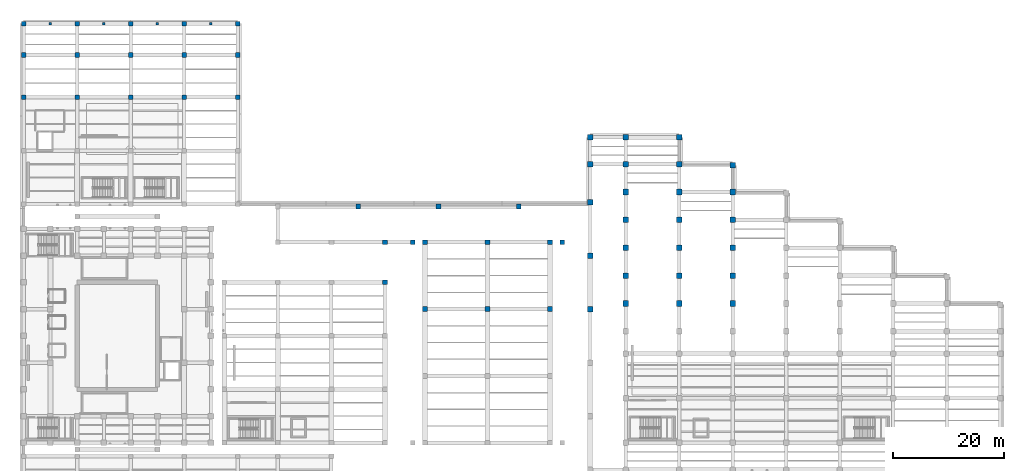
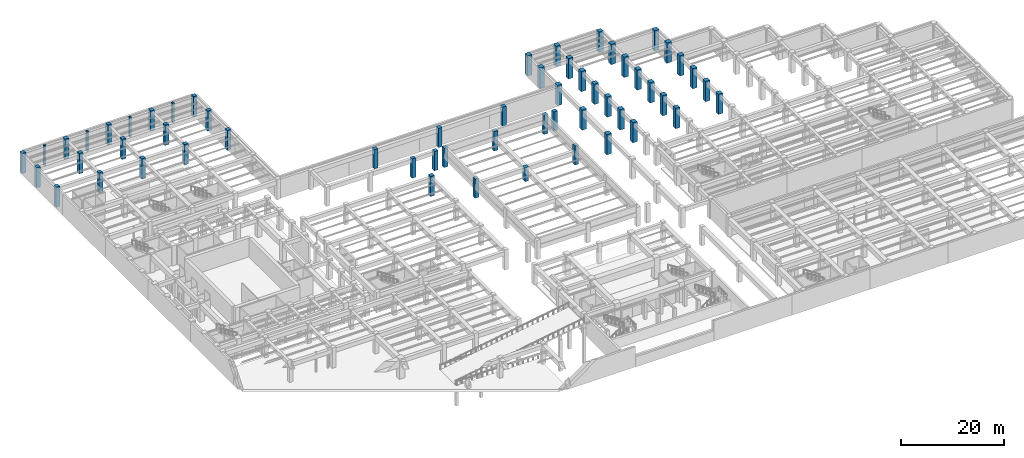
# One storey, part 10 of 45: 57 columns.
"""IFC4 building model written with IfcOpenShell, lengths in metres."""

from ifc_helpers import new_model, si_unit, direction, frame, origin, origin_2d, place, context, subcontext, project, spatial, rectangle, extrude, material, material_profile, profile_set, type_object, element, save


model = new_model("IFC4")

# Units and contexts
model_context = context("Model", 3, precision=1e-05, world=origin(), true_north=direction((0.0, 1.0)))
body_context = subcontext(model_context, "Body", "Model", "MODEL_VIEW")
ifc_project = project(units=[si_unit("LENGTHUNIT", "METRE"), si_unit("AREAUNIT", "SQUARE_METRE"), si_unit("VOLUMEUNIT", "CUBIC_METRE"), si_unit("PLANEANGLEUNIT", "RADIAN"), si_unit("MASSUNIT", "GRAM", prefix="KILO")], contexts=[model_context])

# Site, building, storey
site_placement = place(None, origin())
site = spatial("IfcSite", under=ifc_project, at=site_placement, CompositionType="ELEMENT")
building_placement = place(site_placement, origin())
building = spatial("IfcBuilding", under=site, at=building_placement, Name="Mavantir Sound Aquarium", CompositionType="ELEMENT")
storey_placement = place(building_placement, frame((0.0, 0.0, -4.800048828125)))
storey = spatial("IfcBuildingStorey", under=building, at=storey_placement, Name="B1", CompositionType="ELEMENT", Elevation=-4.800048828125)

# Columns
ifc_material = material(Name="Concrete C40/50", Category="concrete")
ifc_material_profile_1 = material_profile(ifc_material, rectangle(XDim=1.0, YDim=1.0, at=origin_2d()), Name="RC 1000X1000")
ifc_profile_set_1 = profile_set([ifc_material_profile_1], Name="Concrete C40/50")
column_type_1 = type_object("IfcColumnType", Name="COL-RC1000-I", PredefinedType="COLUMN", material=ifc_profile_set_1)
for number, where, z_axis, x_axis, name in (
    (1, (101.60009765625, 64.800048828125, 0.0), (0.0, 0.0, 1.0), (1.0, 0.0, 0.0), "B1 column RC-C10 (V4)"),
    (2, (101.60009765625, 74.39990234375, 0.0), (0.0, 0.0, 1.0), (1.0, 0.0, 0.0), "B1 column RC-C10 (V4)"),
    (3, (101.60009765625, 84.0, 0.0), (0.0, 0.0, 1.0), (1.0, 0.0, 0.0), "B1 column RC-C10 (V4)"),
    (4, (101.60009765625, 90.800048828125, 0.0), (0.0, 0.0, 1.0), (1.0, 0.0, 0.0), "B1 column RC-C10 (V4)"),
    (5, (101.60009765625, 95.60009765625, 0.0), (0.0, 0.0, 1.0), (1.0, 0.0, 0.0), "B1 column RC-C10 (V4)"),
    (6, (108.0, 65.800048828125, 0.0), (0.0, 0.0, 1.0), (1.0, 0.0, 0.0), "B1 column RC-C10 (V4)"),
    (7, (108.0, 70.800048828125, 0.0), (0.0, 0.0, 1.0), (1.0, 0.0, 0.0), "B1 column RC-C10 (V4)"),
    (8, (108.0, 75.800048828125, 0.0), (0.0, 0.0, 1.0), (1.0, 0.0, 0.0), "B1 column RC-C10 (V4)"),
    (9, (108.0, 80.800048828125, 0.0), (0.0, 0.0, 1.0), (1.0, 0.0, 0.0), "B1 column RC-C10 (V4)"),
    (10, (108.0, 85.800048828125, 0.0), (0.0, 0.0, 1.0), (1.0, 0.0, 0.0), "B1 column RC-C10 (V4)"),
    (11, (108.0, 90.800048828125, 0.0), (0.0, 0.0, 1.0), (1.0, 0.0, 0.0), "B1 column RC-C10 (V4)"),
    (12, (108.0, 95.60009765625, 0.0), (0.0, 0.0, 1.0), (1.0, 0.0, 0.0), "B1 column RC-C10 (V4)"),
    (13, (117.60009765625, 65.800048828125, 0.0), (0.0, 0.0, 1.0), (1.0, 0.0, 0.0), "B1 column RC-C10 (V4)"),
    (14, (117.60009765625, 70.800048828125, 0.0), (0.0, 0.0, 1.0), (1.0, 0.0, 0.0), "B1 column RC-C10 (V4)"),
    (15, (117.60009765625, 75.800048828125, 0.0), (0.0, 0.0, 1.0), (1.0, 0.0, 0.0), "B1 column RC-C10 (V4)"),
    (16, (117.60009765625, 80.800048828125, 0.0), (0.0, 0.0, 1.0), (1.0, 0.0, 0.0), "B1 column RC-C10 (V4)"),
    (17, (117.60009765625, 85.800048828125, 0.0), (0.0, 0.0, 1.0), (1.0, 0.0, 0.0), "B1 column RC-C10 (V4)"),
    (18, (117.60009765625, 90.800048828125, 0.0), (0.0, 0.0, 1.0), (1.0, 0.0, 0.0), "B1 column RC-C10 (V4)"),
    (19, (117.60009765625, 95.60009765625, 0.0), (0.0, 0.0, 1.0), (1.0, 0.0, 0.0), "B1 column RC-C10 (V4)"),
    (20, (127.199951171875, 65.800048828125, 0.0), (0.0, 0.0, 1.0), (1.0, 0.0, 0.0), "B1 column RC-C10 (V4)"),
    (21, (127.199951171875, 70.800048828125, 0.0), (0.0, 0.0, 1.0), (1.0, 0.0, 0.0), "B1 column RC-C10 (V4)"),
    (22, (127.199951171875, 75.800048828125, 0.0), (0.0, 0.0, 1.0), (1.0, 0.0, 0.0), "B1 column RC-C10 (V4)"),
    (23, (127.199951171875, 80.800048828125, 0.0), (0.0, 0.0, 1.0), (1.0, 0.0, 0.0), "B1 column RC-C10 (V4)"),
    (24, (127.199951171875, 85.800048828125, 0.0), (0.0, 0.0, 1.0), (1.0, 0.0, 0.0), "B1 column RC-C10 (V4)"),
    (25, (127.199951171875, 90.60009765625, 0.0), (0.0, 0.0, 1.0), (1.0, 0.0, 0.0), "B1 column RC-C10 (V4)"),
):
    element("IfcColumn", number, at=place(storey_placement, frame(where, z_axis=z_axis, x_axis=x_axis)), inside=storey, type_object=column_type_1, Name=name, PredefinedType="COLUMN", context=body_context, shape_type="SweptSolid", body=[
        extrude(rectangle(XDim=1.0, YDim=1.0, at=origin_2d()), origin(), (0.0, 0.0, 1.0), 4.800048828125),
    ])
ifc_material_profile_2 = material_profile(ifc_material, rectangle(XDim=0.449951171875, YDim=0.449951171875, at=origin_2d()), Name="RC 450X450")
ifc_profile_set_2 = profile_set([ifc_material_profile_2], Name="Concrete C40/50")
column_type_2 = type_object("IfcColumnType", Name="COL-RC450-E", PredefinedType="PILASTER", material=ifc_profile_set_2)
for number, where, z_axis, x_axis, name in (
    (26, (4.800048828125, 116.0, 0.0), (0.0, 0.0, 1.0), (1.0, 0.0, 0.0), "Postmodern facade pilaster B1.5"),
    (27, (14.39990234375, 116.0, 0.0), (0.0, 0.0, 1.0), (1.0, 0.0, 0.0), "Postmodern facade pilaster B1.6"),
    (28, (24.0, 116.0, 0.0), (0.0, 0.0, 1.0), (1.0, 0.0, 0.0), "Postmodern facade pilaster B1.7"),
    (29, (33.60009765625, 116.0, 0.0), (0.0, 0.0, 1.0), (1.0, 0.0, 0.0), "Postmodern facade pilaster B1.8"),
):
    element("IfcColumn", number, at=place(storey_placement, frame(where, z_axis=z_axis, x_axis=x_axis)), inside=storey, type_object=column_type_2, Name=name, PredefinedType="PILASTER", context=body_context, shape_type="SweptSolid", body=[
        extrude(rectangle(XDim=0.449951171875, YDim=0.449951171875, at=origin_2d()), origin(), (0.0, 0.0, 1.0), 4.800048828125),
    ])
ifc_material_profile_3 = material_profile(ifc_material, rectangle(XDim=0.85009765625, YDim=0.85009765625, at=origin_2d()), Name="RC 850X850")
ifc_profile_set_3 = profile_set([ifc_material_profile_3], Name="Concrete C40/50")
column_type_3 = type_object("IfcColumnType", Name="COL-RC850-E", PredefinedType="COLUMN", material=ifc_profile_set_3)
for number, where, z_axis, x_axis, name in (
    (30, (0.0, 102.800048828125, 0.0), (0.0, 0.0, 1.0), (1.0, 0.0, 0.0), "B1 column RC-C85 (V5)"),
    (31, (0.0, 110.39990234375, 0.0), (0.0, 0.0, 1.0), (1.0, 0.0, 0.0), "B1 column RC-C85 (V5)"),
    (32, (0.0, 116.0, 0.0), (0.0, 0.0, 1.0), (1.0, 0.0, 0.0), "B1 column RC-C85 (V5)"),
    (33, (9.60009765625, 116.0, 0.0), (0.0, 0.0, 1.0), (1.0, 0.0, 0.0), "B1 column RC-C85 (V5)"),
    (34, (19.199951171875, 116.0, 0.0), (0.0, 0.0, 1.0), (1.0, 0.0, 0.0), "B1 column RC-C85 (V5)"),
    (35, (28.800048828125, 116.0, 0.0), (0.0, 0.0, 1.0), (1.0, 0.0, 0.0), "B1 column RC-C85 (V5)"),
    (36, (38.39990234375, 116.0, 0.0), (0.0, 0.0, 1.0), (1.0, 0.0, 0.0), "B1 column RC-C85 (V5)"),
):
    element("IfcColumn", number, at=place(storey_placement, frame(where, z_axis=z_axis, x_axis=x_axis)), inside=storey, type_object=column_type_3, Name=name, PredefinedType="COLUMN", context=body_context, shape_type="SweptSolid", body=[
        extrude(rectangle(XDim=0.85009765625, YDim=0.85009765625, at=origin_2d()), origin(), (0.0, 0.0, 1.0), 4.800048828125),
    ])
ifc_material_profile_4 = material_profile(ifc_material, rectangle(XDim=0.85009765625, YDim=0.85009765625, at=origin_2d()), Name="RC 850X850")
ifc_profile_set_4 = profile_set([ifc_material_profile_4], Name="Concrete C40/50")
column_type_4 = type_object("IfcColumnType", Name="COL-RC850-I", PredefinedType="COLUMN", material=ifc_profile_set_4)
for number, where, z_axis, x_axis, name in (
    (37, (64.800048828125, 69.60009765625, 0.0), (0.0, 0.0, 1.0), (1.0, 0.0, 0.0), "B1 column RC-C85 (V2)"),
    (38, (9.60009765625, 102.800048828125, 0.0), (0.0, 0.0, 1.0), (1.0, 0.0, 0.0), "B1 column RC-C85 (V5)"),
    (39, (9.60009765625, 110.39990234375, 0.0), (0.0, 0.0, 1.0), (1.0, 0.0, 0.0), "B1 column RC-C85 (V5)"),
    (40, (19.199951171875, 102.800048828125, 0.0), (0.0, 0.0, 1.0), (1.0, 0.0, 0.0), "B1 column RC-C85 (V5)"),
    (41, (19.199951171875, 110.39990234375, 0.0), (0.0, 0.0, 1.0), (1.0, 0.0, 0.0), "B1 column RC-C85 (V5)"),
    (42, (28.800048828125, 102.800048828125, 0.0), (0.0, 0.0, 1.0), (1.0, 0.0, 0.0), "B1 column RC-C85 (V5)"),
    (43, (28.800048828125, 110.39990234375, 0.0), (0.0, 0.0, 1.0), (1.0, 0.0, 0.0), "B1 column RC-C85 (V5)"),
    (44, (38.39990234375, 102.800048828125, 0.0), (0.0, 0.0, 1.0), (1.0, 0.0, 0.0), "B1 column RC-C85 (V5)"),
    (45, (38.39990234375, 110.39990234375, 0.0), (0.0, 0.0, 1.0), (1.0, 0.0, 0.0), "B1 column RC-C85 (V5)"),
):
    element("IfcColumn", number, at=place(storey_placement, frame(where, z_axis=z_axis, x_axis=x_axis)), inside=storey, type_object=column_type_4, Name=name, PredefinedType="COLUMN", context=body_context, shape_type="SweptSolid", body=[
        extrude(rectangle(XDim=0.85009765625, YDim=0.85009765625, at=origin_2d()), origin(), (0.0, 0.0, 1.0), 4.800048828125),
    ])
for number, where, z_axis, x_axis, name in (
    (46, (69.800048828125, 76.800048828125, 0.0), (0.0, 0.0, 1.0), (1.0, 0.0, 0.0), "B1 column RC-C85 (COURT)"),
    (47, (96.60009765625, 76.800048828125, 0.0), (0.0, 0.0, 1.0), (1.0, 0.0, 0.0), "B1 column RC-C85 (COURT)"),
    (48, (72.0, 64.800048828125, 0.0), (0.0, 0.0, 1.0), (1.0, 0.0, 0.0), "B1 column RC-C85 (COURT)"),
):
    element("IfcColumn", number, at=place(storey_placement, frame(where, z_axis=z_axis, x_axis=x_axis)), inside=storey, type_object=column_type_4, Name=name, PredefinedType="COLUMN", context=body_context, shape_type="SweptSolid", body=[
        extrude(rectangle(XDim=0.85009765625, YDim=0.85009765625, at=origin_2d()), origin(), (0.0, 0.0, 1.0), 4.550048828125),
    ])
column_placement = place(storey_placement, frame((83.199951171875, 64.800048828125, 0.0), z_axis=(0.0, 0.0, 1.0), x_axis=(1.0, 0.0, 0.0)))
element("IfcColumn", 49, at=column_placement, inside=storey, type_object=column_type_4, Name="B1 column RC-C85 (COURT)", PredefinedType="COLUMN", context=body_context, shape_type="SweptSolid", body=[
    extrude(rectangle(XDim=0.85009765625, YDim=0.85009765625, at=origin_2d()), origin(), (0.0, 0.0, 1.0), 3.300048828125),
])
for number, where, z_axis, x_axis, name in (
    (50, (94.39990234375, 64.800048828125, 0.0), (0.0, 0.0, 1.0), (1.0, 0.0, 0.0), "B1 column RC-C85 (COURT)"),
    (51, (72.0, 76.800048828125, 0.0), (0.0, 0.0, 1.0), (1.0, 0.0, 0.0), "B1 column RC-C85 (COURT)"),
    (52, (83.199951171875, 76.800048828125, 0.0), (0.0, 0.0, 1.0), (1.0, 0.0, 0.0), "B1 column RC-C85 (COURT)"),
    (53, (94.39990234375, 76.800048828125, 0.0), (0.0, 0.0, 1.0), (1.0, 0.0, 0.0), "B1 column RC-C85 (COURT)"),
    (54, (64.800048828125, 76.800048828125, 0.0), (0.0, 0.0, 1.0), (1.0, 0.0, 0.0), "B1 column RC-C85 (COURT)"),
    (55, (60.0, 83.199951171875, 0.0), (0.0, 0.0, 1.0), (1.0, 0.0, 0.0), "B1 column RC-C85 (COURT)"),
    (56, (74.39990234375, 83.199951171875, 0.0), (0.0, 0.0, 1.0), (1.0, 0.0, 0.0), "B1 column RC-C85 (COURT)"),
    (57, (88.800048828125, 83.199951171875, 0.0), (0.0, 0.0, 1.0), (1.0, 0.0, 0.0), "B1 column RC-C85 (COURT)"),
):
    element("IfcColumn", number, at=place(storey_placement, frame(where, z_axis=z_axis, x_axis=x_axis)), inside=storey, type_object=column_type_4, Name=name, PredefinedType="COLUMN", context=body_context, shape_type="SweptSolid", body=[
        extrude(rectangle(XDim=0.85009765625, YDim=0.85009765625, at=origin_2d()), origin(), (0.0, 0.0, 1.0), 4.550048828125),
    ])

save(model, "model.ifc")
